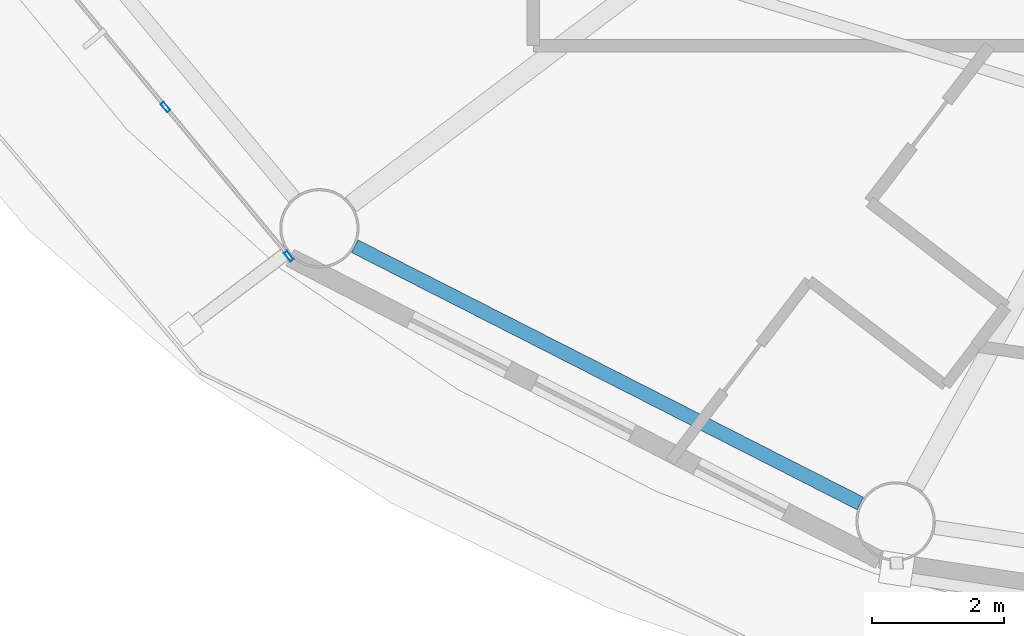
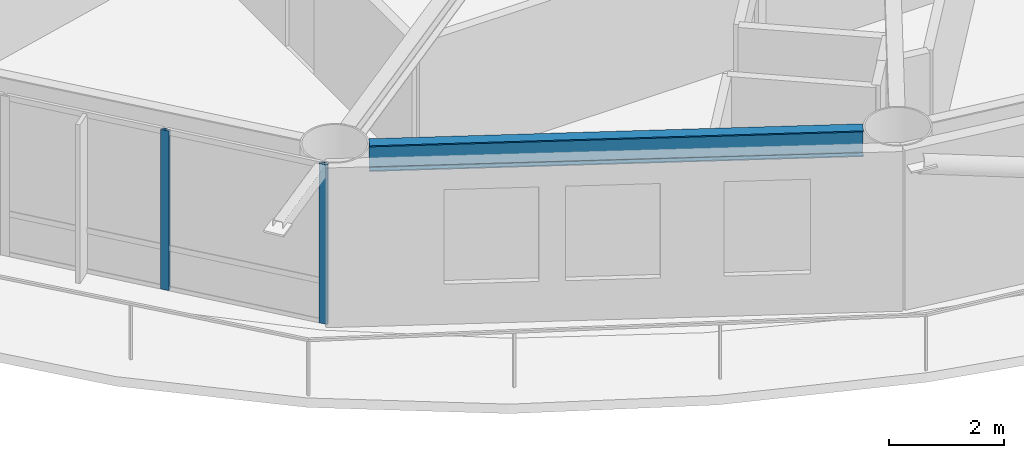
# One storey, part 2 of 27: 2 members, 1 beam, 1 element without a shape of its own.
"""IFC4 building model written with IfcOpenShell, lengths in metres."""

from ifc_helpers import new_model, si_unit, direction, frame, origin, origin_2d, place, context, subcontext, project, spatial, hollow_rectangle, i_section, extrude, material, layer, layer_set, material_profile, profile_set, type_object, element, aggregate, save


model = new_model("IFC4")

# Units and contexts
model_context = context("Model", 3, precision=1e-05, world=origin(), true_north=direction((0.0, 1.0)))
body_context = subcontext(model_context, "Body", "Model", "MODEL_VIEW")
ifc_project = project(units=[si_unit("LENGTHUNIT", "METRE"), si_unit("AREAUNIT", "SQUARE_METRE"), si_unit("VOLUMEUNIT", "CUBIC_METRE"), si_unit("PLANEANGLEUNIT", "RADIAN"), si_unit("MASSUNIT", "GRAM", prefix="KILO")], contexts=[model_context])

# Site, building, storey
site_placement = place(None, origin())
site = spatial("IfcSite", under=ifc_project, at=site_placement, CompositionType="ELEMENT")
building_placement = place(site_placement, origin())
building = spatial("IfcBuilding", under=site, at=building_placement, Name="Sarneth Arch Tower", CompositionType="ELEMENT")
storey_placement = place(building_placement, frame((0.0, 0.0, 186.60009765625)))
storey = spatial("IfcBuildingStorey", under=building, at=storey_placement, Name="L47", CompositionType="ELEMENT", Elevation=186.60009765625)

# Beam
ifc_material_1 = material(Name="Steel S355", Category="steel")
ifc_material_profile_1 = material_profile(ifc_material_1, i_section(OverallWidth=0.214111328125, OverallDepth=0.549072265625, WebThickness=0.0146484375, FlangeThickness=0.023681640625, FilletRadius=0.01806640625, at=origin_2d()), Name="W530x138")
ifc_profile_set_1 = profile_set([ifc_material_profile_1], Name="Steel S355")
beam_type = type_object("IfcBeamType", Name="BM-RAD-530A", PredefinedType="BEAM", material=ifc_profile_set_1)
beam_placement = place(storey_placement, frame((29.40087890625, 27.267578125, 3.10546875), z_axis=(0.891250372735, -0.453511601945, 0.0), x_axis=(0.453511601945, 0.891250372735, 0.0)))
element("IfcBeam", 1, at=beam_placement, inside=storey, type_object=beam_type, Name="L47 Perimeter spandrel beam 11", PredefinedType="BEAM", context=body_context, shape_type="SweptSolid", body=[
    extrude(i_section(OverallWidth=0.214111328125, OverallDepth=0.549072265625, WebThickness=0.0146484375, FlangeThickness=0.023681640625, FilletRadius=0.01806640625, at=origin_2d()), origin(), (0.0, 0.0, 1.0), 8.5751953125),
])

# Curtain wall, members
ifc_material_2 = material(Name="Anodised aluminium Type AA25 and solar-control low-e laminated IGU", Category="aluminium")
ifc_layer = layer(ifc_material_2, 0.169921875)
ifc_layer_set = layer_set([ifc_layer], Name="Anodised aluminium Type AA25 and solar-control low-e laminated IGU")
curtain_wall_type = type_object("IfcCurtainWallType", Name="CW-RES-MID", PredefinedType="NOTDEFINED", material=ifc_layer_set)
curtain_wall_placement = place(storey_placement, origin())
curtain_wall = element("IfcCurtainWall", 2, at=curtain_wall_placement, inside=storey, type_object=curtain_wall_type, Name="L47 Unitised curtain wall facet 10", PredefinedType="NOTDEFINED")
ifc_material_3 = material(Name="Anodised Aluminium 6063-T6", Category="aluminium")
ifc_material_profile_2 = material_profile(ifc_material_3, hollow_rectangle(XDim=0.06005859375, YDim=0.159912109375, WallThickness=0.00390625, at=origin_2d()), Name="AL-MULL-160x60x4")
ifc_profile_set_2 = profile_set([ifc_material_profile_2], Name="Anodised Aluminium 6063-T6")
member_type = type_object("IfcMemberType", Name="CW-MULLION", PredefinedType="MULLION", material=ifc_profile_set_2)
member_1_placement = place(storey_placement, frame((26.53857421875, 29.373779296875, 0.0), z_axis=(0.0, 0.0, 1.0), x_axis=(0.770590741276, 0.637330298558, 0.0)))
member_1 = element("IfcMember", 3, at=member_1_placement, type_object=member_type, Name="CW-SYS-5 mullion 3", PredefinedType="MULLION", context=body_context, shape_type="SweptSolid", body=[
    extrude(hollow_rectangle(XDim=0.06005859375, YDim=0.159912109375, WallThickness=0.00390625, at=origin_2d()), origin(), (0.0, 0.0, 1.0), 3.3798828125),
])
member_2_placement = place(storey_placement, frame((28.40478515625, 27.1171875, 0.0), z_axis=(0.0, 0.0, 1.0), x_axis=(0.770590741276, 0.637330298558, 0.0)))
member_2 = element("IfcMember", 4, at=member_2_placement, type_object=member_type, Name="CW-SYS-5 mullion 4", PredefinedType="MULLION", context=body_context, shape_type="SweptSolid", body=[
    extrude(hollow_rectangle(XDim=0.06005859375, YDim=0.159912109375, WallThickness=0.00390625, at=origin_2d()), origin(), (0.0, 0.0, 1.0), 3.3798828125),
])
aggregate(curtain_wall, [member_1, member_2])

save(model, "model.ifc")
